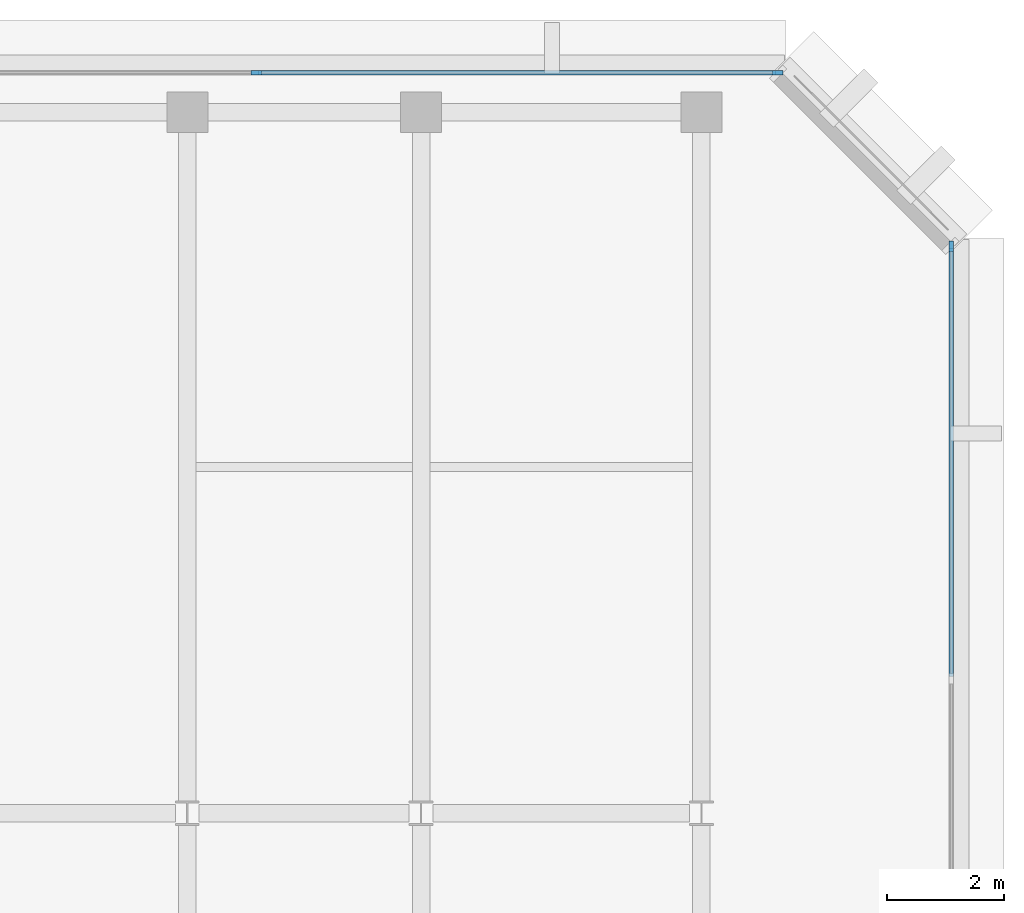
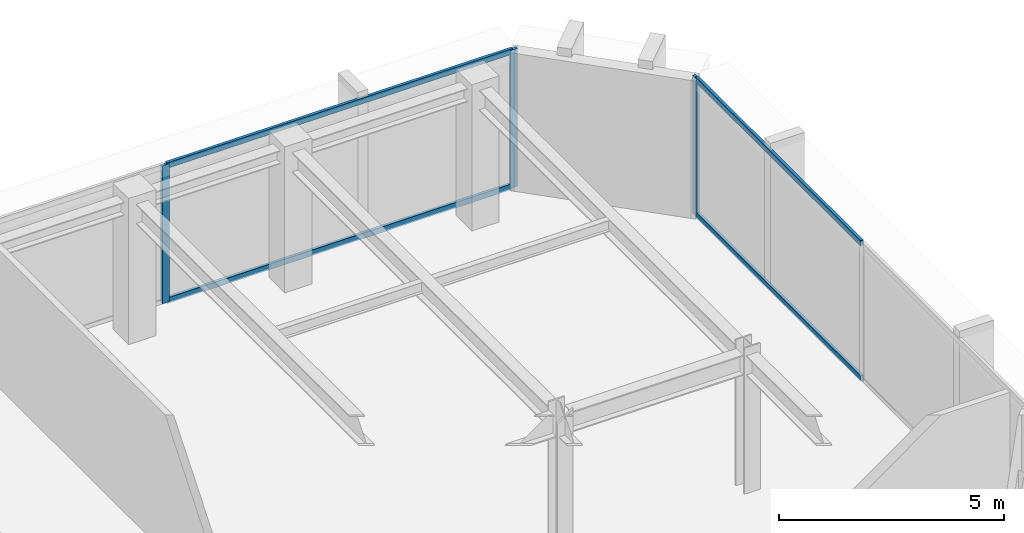
# One storey, part 5 of 12: 7 members, 2 elements without a shape of their own.
"""IFC4 building model written with IfcOpenShell, lengths in metres."""

from ifc_helpers import new_model, si_unit, direction, frame, origin, origin_2d, place, context, subcontext, project, spatial, rectangle, extrude, material, layer, layer_set, material_profile, profile_set, type_object, element, aggregate, save


model = new_model("IFC4")

# Units and contexts
model_context = context("Model", 3, precision=1e-05, world=origin(), true_north=direction((0.0, 1.0)))
body_context = subcontext(model_context, "Body", "Model", "MODEL_VIEW")
ifc_project = project(units=[si_unit("LENGTHUNIT", "METRE"), si_unit("AREAUNIT", "SQUARE_METRE"), si_unit("VOLUMEUNIT", "CUBIC_METRE"), si_unit("PLANEANGLEUNIT", "RADIAN"), si_unit("MASSUNIT", "GRAM", prefix="KILO")], contexts=[model_context])

# Site, building, storey
site_placement = place(None, origin())
site = spatial("IfcSite", under=ifc_project, at=site_placement, CompositionType="ELEMENT")
building_placement = place(site_placement, origin())
building = spatial("IfcBuilding", under=site, at=building_placement, Name="Kefirva Bronze Tower", CompositionType="ELEMENT")
storey_placement = place(building_placement, frame((0.0, 0.0, 327.68994140625)))
storey = spatial("IfcBuildingStorey", under=building, at=storey_placement, Name="L80", CompositionType="ELEMENT", Elevation=327.68994140625)

# Curtain wall, member
ifc_material = material(Name="Bronze anodised aluminium", Category="aluminium")
ifc_layer = layer(ifc_material, 0.179931640625, Name="Bronze anodised aluminium")
ifc_layer_set = layer_set([ifc_layer], Name="Bronze anodised aluminium")
curtain_wall_type = type_object("IfcCurtainWallType", Name="Unitised Bronze Ribbon Curtain Wall Zone 4", PredefinedType="USERDEFINED", material=ifc_layer_set)
curtain_wall_1_placement = place(storey_placement, origin())
curtain_wall_1 = element("IfcCurtainWall", 1, at=curtain_wall_1_placement, inside=storey, type_object=curtain_wall_type, Name="L80 Curtain Wall 2", ObjectType="UNITISED CURTAIN WALL", PredefinedType="USERDEFINED")
ifc_material_profile_1 = material_profile(ifc_material, rectangle(XDim=0.074951171875, YDim=0.179931640625, at=origin_2d()), Name="ALU 75x180")
ifc_profile_set_1 = profile_set([ifc_material_profile_1], Name="Bronze anodised aluminium")
member_type_1 = type_object("IfcMemberType", Name="Bronze Mullion 75x180", PredefinedType="MULLION", material=ifc_profile_set_1)
member_1_placement = place(storey_placement, frame((44.280029296875, 42.907470703125, 0.0), z_axis=(0.0, 0.0, 1.0), x_axis=(-1.0, 0.0, 0.0)))
member_1 = element("IfcMember", 2, at=member_1_placement, type_object=member_type_1, Name="CW-04 mullion 3", PredefinedType="MULLION", context=body_context, shape_type="SweptSolid", body=[
    extrude(rectangle(XDim=0.074951171875, YDim=0.179931640625, at=origin_2d()), origin(), (0.0, 0.0, 1.0), 3.739990234375),
])

# Curtain wall, members
curtain_wall_2_placement = place(storey_placement, origin())
curtain_wall_2 = element("IfcCurtainWall", 3, at=curtain_wall_2_placement, inside=storey, type_object=curtain_wall_type, Name="L80 Curtain Wall 3", ObjectType="UNITISED CURTAIN WALL", PredefinedType="USERDEFINED")
member_2_placement = place(storey_placement, frame((41.3076171875, 45.8798828125, 0.0), z_axis=(0.0, 0.0, 1.0), x_axis=(0.0, -1.0, 0.0)))
member_2 = element("IfcMember", 4, at=member_2_placement, type_object=member_type_1, Name="CW-04 mullion 1", PredefinedType="MULLION", context=body_context, shape_type="SweptSolid", body=[
    extrude(rectangle(XDim=0.074951171875, YDim=0.179931640625, at=origin_2d()), origin(), (0.0, 0.0, 1.0), 3.739990234375),
])
member_3_placement = place(storey_placement, frame((32.375, 45.8798828125, 0.0), z_axis=(0.0, 0.0, 1.0), x_axis=(0.0, -1.0, 0.0)))
member_3 = element("IfcMember", 5, at=member_3_placement, type_object=member_type_1, Name="CW-04 mullion 2", PredefinedType="MULLION", context=body_context, shape_type="SweptSolid", body=[
    extrude(rectangle(XDim=0.074951171875, YDim=0.179931640625, at=origin_2d()), origin(), (0.0, 0.0, 1.0), 3.739990234375),
])

# Member
ifc_material_profile_2 = material_profile(ifc_material, rectangle(XDim=0.074951171875, YDim=0.14990234375, at=origin_2d()), Name="ALU 75x150")
ifc_profile_set_2 = profile_set([ifc_material_profile_2], Name="Bronze anodised aluminium")
member_type_2 = type_object("IfcMemberType", Name="Bronze Transom 75x150", PredefinedType="USERDEFINED", material=ifc_profile_set_2)
member_4_placement = place(storey_placement, frame((44.280029296875, 35.53759765625, 0.03759765625), z_axis=(0.0, 1.0, 0.0), x_axis=(-1.0, 0.0, 0.0)))
member_4 = element("IfcMember", 6, at=member_4_placement, type_object=member_type_2, Name="CW-04 transom 2.1", ObjectType="TRANSOM", PredefinedType="USERDEFINED", context=body_context, shape_type="SweptSolid", body=[
    extrude(rectangle(XDim=0.074951171875, YDim=0.14990234375, at=origin_2d()), origin(), (0.0, 0.0, 1.0), 7.33251953125),
])

member_5_placement = place(storey_placement, frame((44.280029296875, 35.53759765625, 3.70263671875), z_axis=(0.0, 1.0, 0.0), x_axis=(-1.0, 0.0, 0.0)))
member_5 = element("IfcMember", 7, at=member_5_placement, type_object=member_type_2, Name="CW-04 transom 2.2", ObjectType="TRANSOM", PredefinedType="USERDEFINED", context=body_context, shape_type="SweptSolid", body=[
    extrude(rectangle(XDim=0.074951171875, YDim=0.14990234375, at=origin_2d()), origin(), (0.0, 0.0, 1.0), 7.33251953125),
])

aggregate(curtain_wall_1, [member_1, member_4, member_5])

member_6_placement = place(storey_placement, frame((41.27001953125, 45.8798828125, 0.03759765625), z_axis=(-1.0, 0.0, 0.0), x_axis=(0.0, -1.0, 0.0)))
member_6 = element("IfcMember", 8, at=member_6_placement, type_object=member_type_2, Name="CW-04 transom 1.1", ObjectType="TRANSOM", PredefinedType="USERDEFINED", context=body_context, shape_type="SweptSolid", body=[
    extrude(rectangle(XDim=0.074951171875, YDim=0.14990234375, at=origin_2d()), origin(), (0.0, 0.0, 1.0), 8.857421875),
])

member_7_placement = place(storey_placement, frame((41.27001953125, 45.8798828125, 3.70263671875), z_axis=(-1.0, 0.0, 0.0), x_axis=(0.0, -1.0, 0.0)))
member_7 = element("IfcMember", 9, at=member_7_placement, type_object=member_type_2, Name="CW-04 transom 1.2", ObjectType="TRANSOM", PredefinedType="USERDEFINED", context=body_context, shape_type="SweptSolid", body=[
    extrude(rectangle(XDim=0.074951171875, YDim=0.14990234375, at=origin_2d()), origin(), (0.0, 0.0, 1.0), 8.857421875),
])

aggregate(curtain_wall_2, [member_2, member_3, member_6, member_7])

save(model, "model.ifc")
